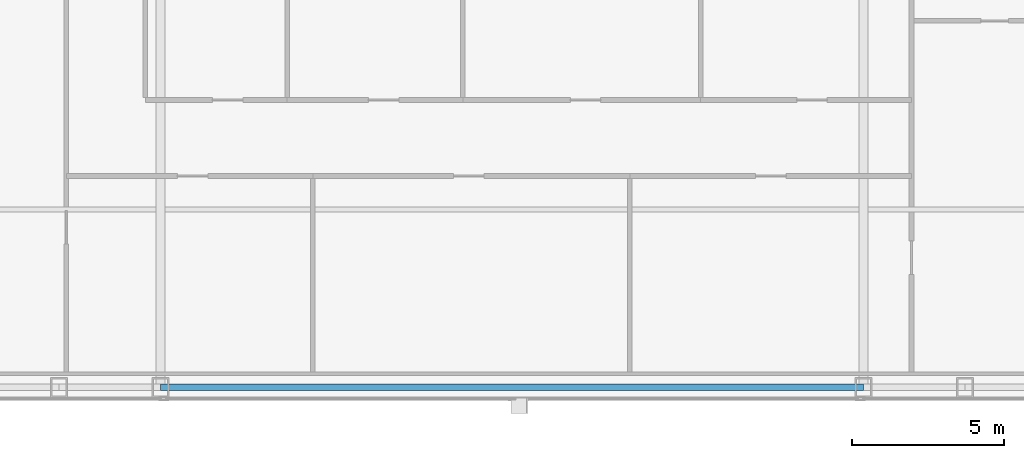
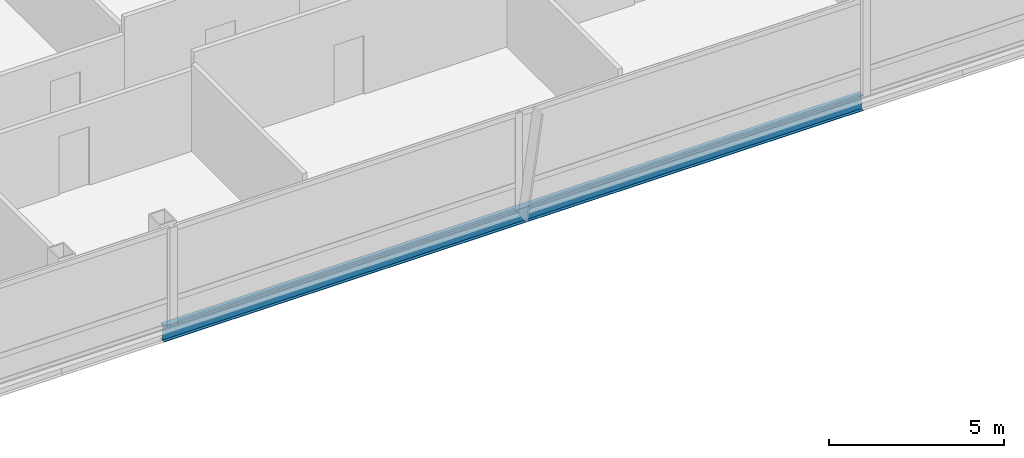
# One storey, part 8 of 29: 1 beam.
"""IFC4 building model written with IfcOpenShell, lengths in metres."""

from ifc_helpers import new_model, si_unit, direction, frame, origin, origin_2d, place, context, subcontext, project, spatial, i_section, extrude, material, material_profile, profile_set, type_object, element, save


model = new_model("IFC4")

# Units and contexts
model_context = context("Model", 3, precision=1e-05, world=origin(), true_north=direction((0.0, 1.0)))
body_context = subcontext(model_context, "Body", "Model", "MODEL_VIEW")
ifc_project = project(units=[si_unit("LENGTHUNIT", "METRE"), si_unit("AREAUNIT", "SQUARE_METRE"), si_unit("VOLUMEUNIT", "CUBIC_METRE"), si_unit("PLANEANGLEUNIT", "RADIAN"), si_unit("MASSUNIT", "GRAM", prefix="KILO")], contexts=[model_context])

# Site, building, storey
site_placement = place(None, origin())
site = spatial("IfcSite", under=ifc_project, at=site_placement, CompositionType="ELEMENT")
building_placement = place(site_placement, origin())
building = spatial("IfcBuilding", under=site, at=building_placement, Name="Khoronbel Lancet Exchange", CompositionType="ELEMENT")
storey_placement = place(building_placement, frame((0.0, 0.0, 318.199951171875)))
storey = spatial("IfcBuildingStorey", under=building, at=storey_placement, Name="L82", CompositionType="ELEMENT", Elevation=318.199951171875)

# Beam
ifc_material = material(Name="Steel S355", Category="steel")
ifc_material_profile = material_profile(ifc_material, i_section(OverallWidth=0.2099609375, OverallDepth=0.550048828125, WebThickness=0.010986328125, FlangeThickness=0.01708984375, at=origin_2d()), Name="IPE 550")
ifc_profile_set = profile_set([ifc_material_profile], Name="Steel S355")
beam_type = type_object("IfcBeamType", Name="BM-BSP3", PredefinedType="SPANDREL", material=ifc_profile_set)
beam_placement = place(storey_placement, frame((24.89990234375, 10.14990234375, -0.43505859375), z_axis=(1.0, 0.0, 0.0), x_axis=(0.0, 1.0, 0.0)))
element("IfcBeam", 1, at=beam_placement, inside=storey, type_object=beam_type, Name="Level L82 perimeter spandrel beam SP04", PredefinedType="SPANDREL", context=body_context, shape_type="SweptSolid", body=[
    extrude(i_section(OverallWidth=0.2099609375, OverallDepth=0.550048828125, WebThickness=0.010986328125, FlangeThickness=0.01708984375, at=origin_2d()), origin(), (0.0, 0.0, 1.0), 23.10009765625),
])

save(model, "model.ifc")
